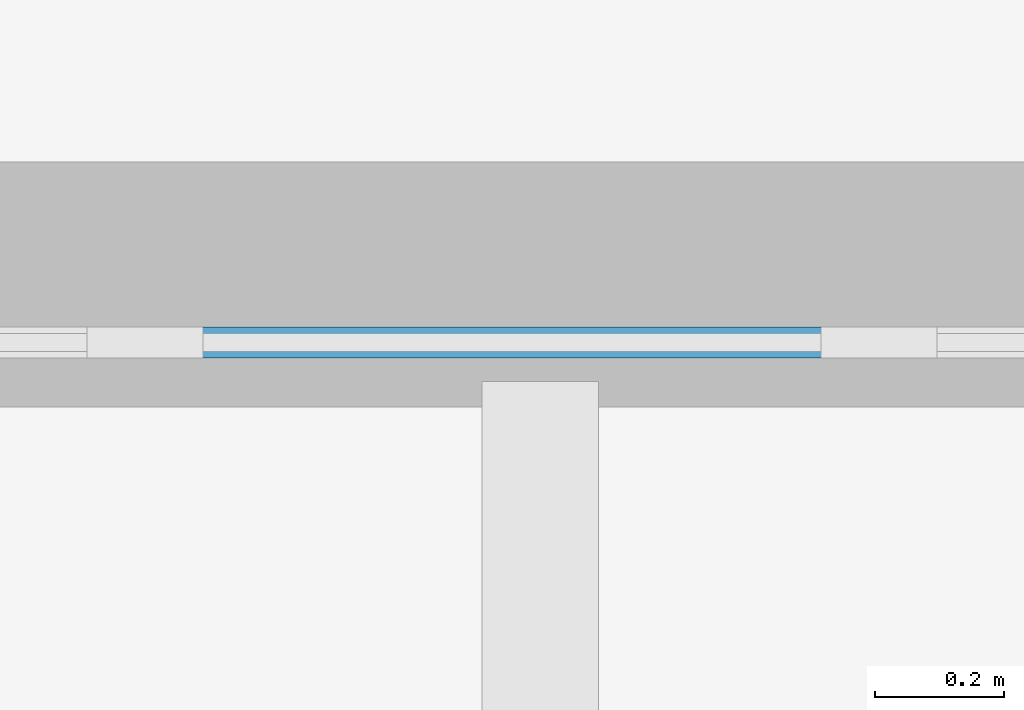
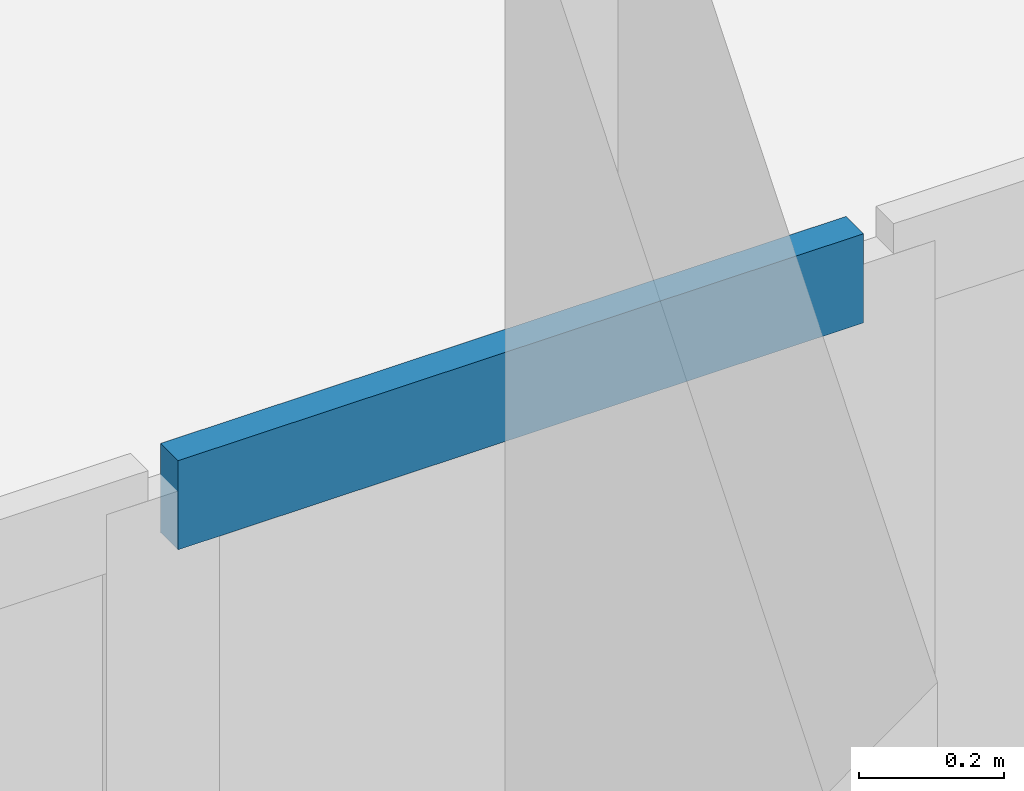
# One storey, part 40 of 139: 1 member, 1 element without a shape of its own.
"""IFC4 building model written with IfcOpenShell, lengths in metres."""

from ifc_helpers import new_model, si_unit, direction, frame, origin, origin_2d, place, context, subcontext, project, spatial, rectangle, extrude, material, layer, layer_set, material_profile, profile_set, type_object, element, aggregate, save


model = new_model("IFC4")

# Units and contexts
model_context = context("Model", 3, precision=1e-05, world=origin(), true_north=direction((0.0, 1.0)))
body_context = subcontext(model_context, "Body", "Model", "MODEL_VIEW")
ifc_project = project(units=[si_unit("LENGTHUNIT", "METRE"), si_unit("AREAUNIT", "SQUARE_METRE"), si_unit("VOLUMEUNIT", "CUBIC_METRE"), si_unit("PLANEANGLEUNIT", "RADIAN"), si_unit("MASSUNIT", "GRAM", prefix="KILO")], contexts=[model_context])

# Site, building, storey
site_placement = place(None, origin())
site = spatial("IfcSite", under=ifc_project, at=site_placement, CompositionType="ELEMENT")
building_placement = place(site_placement, origin())
building = spatial("IfcBuilding", under=site, at=building_placement, Name="Yeouljin Market Hall", CompositionType="ELEMENT")
storey_placement = place(building_placement, origin())
storey = spatial("IfcBuildingStorey", under=building, at=storey_placement, Name="L00", CompositionType="ELEMENT", Elevation=0.0)

# Curtain wall, member
ifc_material_1 = material(Name="Thermally Broken Aluminium", Category="aluminium")
ifc_layer = layer(ifc_material_1, 0.179931640625)
ifc_layer_set = layer_set([ifc_layer], Name="Thermally Broken Aluminium")
curtain_wall_type = type_object("IfcCurtainWallType", Name="CW_HallNave_System", PredefinedType="USERDEFINED", material=ifc_layer_set)
curtain_wall_placement = place(storey_placement, origin())
curtain_wall = element("IfcCurtainWall", 1, at=curtain_wall_placement, inside=storey, type_object=curtain_wall_type, Name="Curtain wall CW-V1S-L00-10", ObjectType="CURTAIN WALL", PredefinedType="USERDEFINED")
ifc_material_2 = material(Name="Thermally Broken Aluminium", Category="aluminium")
ifc_material_profile = material_profile(ifc_material_2, rectangle(XDim=0.048095703125, YDim=0.14990234375, at=origin_2d()), Name="CW-TRAN-48x150")
ifc_profile_set = profile_set([ifc_material_profile], Name="Thermally Broken Aluminium")
member_type = type_object("IfcMemberType", Name="CWTransom_48x150", PredefinedType="USERDEFINED", material=ifc_profile_set)
member_placement = place(storey_placement, frame((124.301025390625, 36.10009765625, 5.656005859375), z_axis=(-1.0, 0.0, 0.0), x_axis=(0.0, -1.0, 0.0)))
member = element("IfcMember", 2, at=member_placement, type_object=member_type, Name="CW-01 transom 7.3", ObjectType="TRANSOM", PredefinedType="USERDEFINED", context=body_context, shape_type="SweptSolid", body=[
    extrude(rectangle(XDim=0.048095703125, YDim=0.14990234375, at=origin_2d()), origin(), (0.0, 0.0, 1.0), 1.089599609375),
])
aggregate(curtain_wall, [member])

save(model, "model.ifc")
